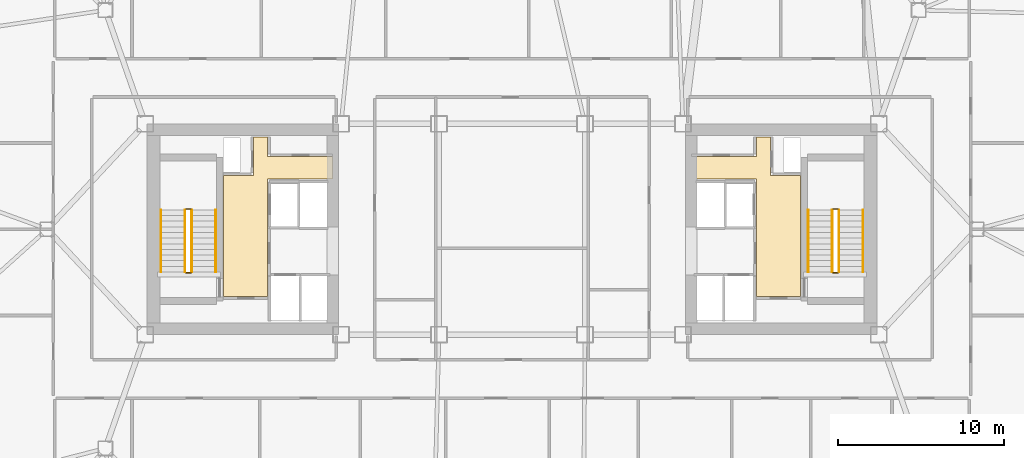
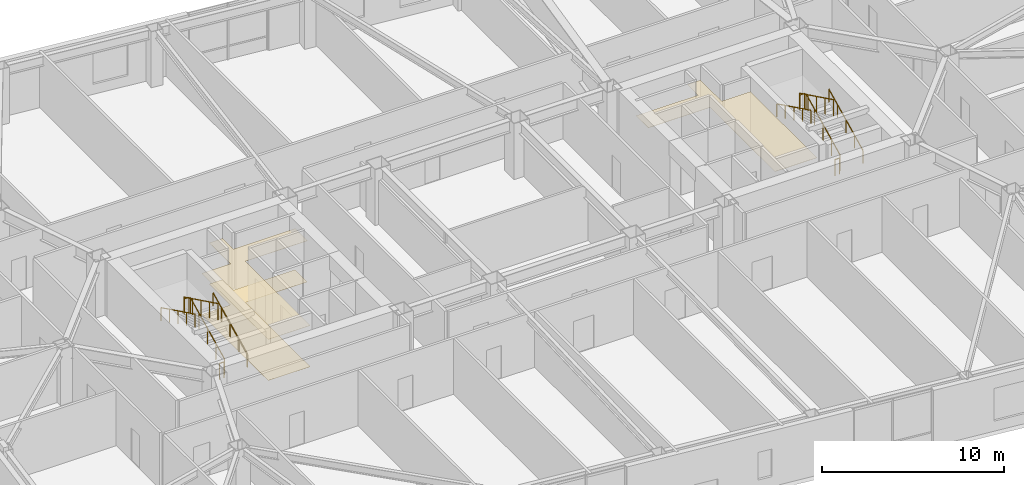
# One storey, part 22 of 22: 12 railings, 3 coverings.
"""IFC4 building model written with IfcOpenShell, lengths in metres."""

import ifcopenshell
import ifcopenshell.guid

model = None  # the IFC model being written
_history = None  # IfcOwnerHistory: only IFC2X3 demands one
_inside = {}  # id of a spatial element -> (the spatial element, [elements in it])
_under = {}  # id of a project, library or spatial element -> (it, [spatial elements below it])
_declared = {}  # id of a project -> (the project, [libraries it declares])
_typed = {}  # id of a type object -> (the type object, [elements of that type])
_made_of = {}  # id of a material, layer set ... -> (it, [elements and type objects made of it])


def new_model(schema):
    """Start an empty IFC model of exactly this schema.

    Asked for "IFC4X3", IfcOpenShell would pick the latest addendum, in which some entities
    have other attributes; the version numbers below select the first issue.
    IFC2X3 requires an IfcOwnerHistory on every rooted entity: one is made here for all.
    """
    global model, _history
    if schema == "IFC4X3":
        model = ifcopenshell.file(schema_version=(4, 3, 0, 0))
    else:
        model = ifcopenshell.file(schema=schema)
    _inside.clear()
    _under.clear()
    _declared.clear()
    _typed.clear()
    _made_of.clear()
    _history = None
    if model.schema == "IFC2X3":
        org = make("IfcOrganization", Name="unknown")
        user = make(
            "IfcPersonAndOrganization",
            ThePerson=make("IfcPerson", FamilyName="unknown"),
            TheOrganization=org,
        )
        app = make(
            "IfcApplication",
            ApplicationDeveloper=org,
            Version="unknown",
            ApplicationFullName="unknown",
            ApplicationIdentifier="unknown",
        )
        _history = make(
            "IfcOwnerHistory",
            OwningUser=user,
            OwningApplication=app,
            ChangeAction="ADDED",
            CreationDate=0,
        )
    return model


def make(cls, **values):
    """One entity of the class cls with the attributes given. An attribute that is None is left unset."""
    return model.create_entity(
        cls, **{name: value for name, value in values.items() if value is not None}
    )


def rooted(cls, **values):
    """An entity with a GlobalId (a new one), such as an element, a storey or a relation."""
    return make(cls, GlobalId=ifcopenshell.guid.new(), OwnerHistory=_history, **values)


def si_unit(unit_type, name, prefix=None):
    """IfcSIUnit, for example si_unit("LENGTHUNIT", "METRE", prefix="MILLI")."""
    return make("IfcSIUnit", UnitType=unit_type, Prefix=prefix, Name=name)


def assignment(units):
    """IfcUnitAssignment: the units of a project."""
    return None if units is None else make("IfcUnitAssignment", Units=units)


def point(xyz):
    """IfcCartesianPoint."""
    return None if xyz is None else make("IfcCartesianPoint", Coordinates=xyz)


def direction(xyz):
    """IfcDirection."""
    return None if xyz is None else make("IfcDirection", DirectionRatios=xyz)


def frame(location, z_axis=None, x_axis=None):
    """IfcAxis2Placement3D, a coordinate frame: its origin and axes. An axis left out is left unset."""
    return make(
        "IfcAxis2Placement3D",
        Location=point(location),
        Axis=direction(z_axis),
        RefDirection=direction(x_axis),
    )


def frame_2d(location, x_axis=None):
    """IfcAxis2Placement2D, a coordinate frame in the plane: its origin and x axis."""
    return make(
        "IfcAxis2Placement2D", Location=point(location), RefDirection=direction(x_axis)
    )


def origin():
    """The frame at (0, 0, 0) with its axes left unset."""
    return frame((0.0, 0.0, 0.0))


def origin_2d():
    """The frame at (0, 0) in the plane with its x axis left unset."""
    return frame_2d((0.0, 0.0))


def place(relative_to, where):
    """IfcLocalPlacement: puts the frame where relative to a parent placement (None: the world)."""
    return make(
        "IfcLocalPlacement", PlacementRelTo=relative_to, RelativePlacement=where
    )


def context(
    kind, dimensions, precision=None, world=None, true_north=None, identifier=None
):
    """IfcGeometricRepresentationContext, for example the 3D "Model" context."""
    return make(
        "IfcGeometricRepresentationContext",
        ContextIdentifier=identifier,
        ContextType=kind,
        CoordinateSpaceDimension=dimensions,
        Precision=precision,
        WorldCoordinateSystem=world,
        TrueNorth=true_north,
    )


def subcontext(parent, identifier, kind, view, scale=None):
    """IfcGeometricRepresentationSubContext, for example "Body" below "Model"."""
    return make(
        "IfcGeometricRepresentationSubContext",
        ContextIdentifier=identifier,
        ContextType=kind,
        ParentContext=parent,
        TargetScale=scale,
        TargetView=view,
    )


def project(units=None, contexts=None):
    """IfcProject with its units and contexts."""
    return rooted(
        "IfcProject",
        Name="project",
        RepresentationContexts=contexts,
        UnitsInContext=assignment(units),
    )


def spatial(cls, under=None, at=None, **own):
    """A site, building, storey or space (cls), placed at a placement, below another one or the project."""
    s = rooted(cls, ObjectPlacement=at, **own)
    if under is not None:
        _under.setdefault(under.id(), (under, []))[1].append(s)
    return s


def polyline(points):
    """IfcPolyline through the points."""
    return make("IfcPolyline", Points=[point(p) for p in points])


def profile(cls, at=None, kind="AREA", **sizes):
    """A parametric profile (cls). Its sizes go by their IFC names, for example OverallWidth=200.0."""
    return make(cls, ProfileType=kind, Position=at, **sizes)


def rectangle(**sizes):
    """IfcRectangleProfileDef."""
    return profile("IfcRectangleProfileDef", **sizes)


def outline(outer, holes=None, kind="AREA"):
    """IfcArbitraryClosedProfileDef: a profile drawn as a closed curve; with holes, ...WithVoids."""
    if holes is None:
        return make("IfcArbitraryClosedProfileDef", ProfileType=kind, OuterCurve=outer)
    return make(
        "IfcArbitraryProfileDefWithVoids",
        ProfileType=kind,
        OuterCurve=outer,
        InnerCurves=holes,
    )


def extrude(swept, where, along, depth):
    """IfcExtrudedAreaSolid: the profile swept, set in the frame where, extruded along a direction by depth."""
    return make(
        "IfcExtrudedAreaSolid",
        SweptArea=swept,
        Position=where,
        ExtrudedDirection=direction(along),
        Depth=depth,
    )


def shape(context_of_items, identifier, shape_type, items):
    """IfcShapeRepresentation: the items that make up one representation, for example the "Body"."""
    return make(
        "IfcShapeRepresentation",
        ContextOfItems=context_of_items,
        RepresentationIdentifier=identifier,
        RepresentationType=shape_type,
        Items=items,
    )


def material(Name=None, Category=None):
    """IfcMaterial."""
    return make("IfcMaterial", Name=Name, Category=Category)


def layer(
    of_material, thickness, ventilated=None, Name=None, Category=None, Priority=None
):
    """IfcMaterialLayer: one layer of a wall or slab, of a material (None: an air gap)."""
    return make(
        "IfcMaterialLayer",
        Material=of_material,
        LayerThickness=thickness,
        IsVentilated=ventilated,
        Name=Name,
        Category=Category,
        Priority=Priority,
    )


def layer_set(layers, Name=None):
    """IfcMaterialLayerSet."""
    return make("IfcMaterialLayerSet", MaterialLayers=layers, LayerSetName=Name)


def made_of(thing, what):
    """Note that an element or type object is made of a material, layer set ...; save() writes the relation."""
    if what is not None:
        _made_of.setdefault(what.id(), (what, []))[1].append(thing)
    return thing


def type_object(cls, material=None, **own):
    """A type object (cls), such as IfcWallType, which elements share."""
    return made_of(rooted(cls, **own), material)


def element(
    cls,
    number,
    at=None,
    inside=None,
    cuts=None,
    type_object=None,
    material=None,
    context=None,
    identifier="Body",
    shape_type=None,
    held_by="IfcProductDefinitionShape",
    body=None,
    shapes=None,
    **own,
):
    """One element of the class cls, such as IfcWall. Its Tag is "e" and its number.

    at: its placement. inside: the storey or other place that contains it. cuts: it is an
    opening in that element (IfcRelVoidsElement). A single representation is given by context,
    identifier, shape_type and body (its items); several are given by shapes. held_by: the class
    of the entity that holds the representations. save() writes the other relations.
    """
    e = rooted(cls, Tag="e%d" % number, ObjectPlacement=at, **own)
    if body is not None:
        shapes = [shape(context, identifier, shape_type, body)]
    if shapes is not None:
        e.Representation = make(held_by, Representations=shapes)
    if inside is not None:
        _inside.setdefault(inside.id(), (inside, []))[1].append(e)
    if cuts is not None:
        rooted(
            "IfcRelVoidsElement", RelatingBuildingElement=cuts, RelatedOpeningElement=e
        )
    if type_object is not None:
        _typed.setdefault(type_object.id(), (type_object, []))[1].append(e)
    return made_of(e, material)


def aggregate(whole, parts):
    """IfcRelAggregates: a whole, such as a stair, and the parts it consists of."""
    return rooted("IfcRelAggregates", RelatingObject=whole, RelatedObjects=parts)


def save(model, path):
    """Write the relations noted so far, then the file.

    IfcRelAggregates (storeys below a building ...), IfcRelContainedInSpatialStructure (elements
    in a storey), IfcRelDefinesByType, IfcRelAssociatesMaterial and IfcRelDeclares: one each for
    every whole, place, type object, material and project.
    """
    for whole, parts in _under.values():
        aggregate(whole, parts)
    for where, things in _inside.values():
        rooted(
            "IfcRelContainedInSpatialStructure",
            RelatedElements=things,
            RelatingStructure=where,
        )
    for kind, things in _typed.values():
        rooted("IfcRelDefinesByType", RelatedObjects=things, RelatingType=kind)
    for what, things in _made_of.values():
        rooted("IfcRelAssociatesMaterial", RelatedObjects=things, RelatingMaterial=what)
    for by, libraries in _declared.values():
        rooted("IfcRelDeclares", RelatingContext=by, RelatedDefinitions=libraries)
    model.write(path)


model = new_model("IFC4")

# Units and contexts
model_context = context("Model", 3, precision=1e-05, world=origin(), true_north=direction((0.0, 1.0)))
body_context = subcontext(model_context, "Body", "Model", "MODEL_VIEW")
ifc_project = project(units=[si_unit("LENGTHUNIT", "METRE"), si_unit("AREAUNIT", "SQUARE_METRE"), si_unit("VOLUMEUNIT", "CUBIC_METRE"), si_unit("PLANEANGLEUNIT", "RADIAN"), si_unit("MASSUNIT", "GRAM", prefix="KILO")], contexts=[model_context])

# Site, building, storey
site_placement = place(None, origin())
site = spatial("IfcSite", under=ifc_project, at=site_placement, CompositionType="ELEMENT")
building_placement = place(site_placement, origin())
building = spatial("IfcBuilding", under=site, at=building_placement, Name="Tavrogorsk Clinical Tower", CompositionType="ELEMENT")
storey_placement = place(building_placement, frame((0.0, 0.0, 117.39990234375)))
storey = spatial("IfcBuildingStorey", under=building, at=storey_placement, Name="L26", CompositionType="ELEMENT", Elevation=117.39990234375)

# Coverings
ifc_material_1 = material(Name="Antibacterial micro-perforated aluminium ceiling", Category="aluminium")
ifc_layer_1 = layer(ifc_material_1, 0.014892578125)
ifc_layer_set_1 = layer_set([ifc_layer_1], Name="Antibacterial micro-perforated aluminium ceiling")
covering_type_1 = type_object("IfcCoveringType", Name="ClinicalCeiling_15", PredefinedType="CEILING", material=ifc_layer_set_1)
covering_1_placement = place(storey_placement, frame((0.0, 0.0, 2.75)))
element("IfcCovering", 1, at=covering_1_placement, inside=storey, type_object=covering_type_1, Name="Core West Firefighting Lift Lobby Acoustic Ceiling", PredefinedType="CEILING", context=body_context, shape_type="SweptSolid", body=[
    extrude(outline(polyline([(-14.719970703125, 4.3798828125), (-10.800048828125, 4.3798828125), (-10.800048828125, 3.0400390625), (-14.719970703125, 3.0400390625), (-14.719970703125, -4.06005859375), (-17.3798828125, -4.06005859375), (-17.3798828125, 3.239990234375), (-15.56005859375, 3.239990234375), (-15.56005859375, 5.56005859375), (-14.719970703125, 5.56005859375), (-14.719970703125, 4.3798828125)])), origin(), (0.0, 0.0, 1.0), 0.01513671875),
])
covering_2_placement = place(storey_placement, frame((0.0, 0.0, 2.75)))
element("IfcCovering", 2, at=covering_2_placement, inside=storey, type_object=covering_type_1, Name="Core East Firefighting Lift Lobby Acoustic Ceiling", PredefinedType="CEILING", context=body_context, shape_type="SweptSolid", body=[
    extrude(outline(polyline([(14.719970703125, -4.06005859375), (14.719970703125, 3.0400390625), (10.800048828125, 3.0400390625), (10.800048828125, 4.3798828125), (14.719970703125, 4.3798828125), (14.719970703125, 5.56005859375), (15.56005859375, 5.56005859375), (15.56005859375, 3.239990234375), (17.3798828125, 3.239990234375), (17.3798828125, -4.06005859375), (14.719970703125, -4.06005859375)])), origin(), (0.0, 0.0, 1.0), 0.01513671875),
])
ifc_material_2 = material(Name="Homogeneous medical conductive PVC flooring")
ifc_layer_2 = layer(ifc_material_2, 0.008056640625)
ifc_layer_set_2 = layer_set([ifc_layer_2], Name="Homogeneous medical conductive PVC flooring")
covering_type_2 = type_object("IfcCoveringType", Name="ResilientVinylFloor_8", PredefinedType="FLOORING", material=ifc_layer_set_2)
covering_3_placement = place(storey_placement, origin())
element("IfcCovering", 3, at=covering_3_placement, inside=storey, type_object=covering_type_2, Name="Core West Firefighting Lift Lobby Conductive Vinyl Flooring", PredefinedType="FLOORING", context=body_context, shape_type="SweptSolid", body=[
    extrude(outline(polyline([(-14.719970703125, 4.3798828125), (-10.800048828125, 4.3798828125), (-10.800048828125, 3.0400390625), (-14.719970703125, 3.0400390625), (-14.719970703125, -4.06005859375), (-17.3798828125, -4.06005859375), (-17.3798828125, 3.239990234375), (-15.56005859375, 3.239990234375), (-15.56005859375, 5.56005859375), (-14.719970703125, 5.56005859375), (-14.719970703125, 4.3798828125)])), origin(), (0.0, 0.0, 1.0), 0.008056640625),
])

# Railings
ifc_material_3 = material(Name="Galvanised steel S355 safety stairwell guard", Category="steel")
ifc_layer_3 = layer(ifc_material_3, 0.06005859375)
ifc_layer_set_3 = layer_set([ifc_layer_3], Name="Galvanised steel S355 safety stairwell guard")
railing_type_1 = type_object("IfcRailingType", Name="StairGuard_1150", PredefinedType="GUARDRAIL", material=ifc_layer_set_3)
railing_1_placement = place(storey_placement, frame((-19.300048828125, -2.574951171875, 0.166748046875)))
element("IfcRailing", 4, at=railing_1_placement, inside=storey, type_object=railing_type_1, Name="L26 ST-W stair guard 1", PredefinedType="GUARDRAIL", context=body_context, shape_type="SweptSolid", body=[
    extrude(rectangle(XDim=0.048095703125, YDim=0.048095703125, at=origin_2d()), frame((0.0, 0.0, 1.076171875), z_axis=(0.0, 0.897927990467, 0.440142390523), x_axis=(-1.0, 0.0, 0.0)), (0.0, 0.0, 1.0), 4.1650390625),
    extrude(rectangle(XDim=0.0419921875, YDim=0.0419921875, at=origin_2d()), origin(), (0.0, 0.0, 1.0), 1.052001953125),
    extrude(rectangle(XDim=0.0419921875, YDim=0.0419921875, at=origin_2d()), frame((0.0, 0.93505859375, 0.458251953125)), (0.0, 0.0, 1.0), 1.052001953125),
    extrude(rectangle(XDim=0.0419921875, YDim=0.0419921875, at=origin_2d()), frame((0.0, 1.8701171875, 0.91650390625)), (0.0, 0.0, 1.0), 1.052001953125),
    extrude(rectangle(XDim=0.0419921875, YDim=0.0419921875, at=origin_2d()), frame((0.0, 2.804931640625, 1.375)), (0.0, 0.0, 1.0), 1.052001953125),
    extrude(rectangle(XDim=0.0419921875, YDim=0.0419921875, at=origin_2d()), frame((0.0, 3.739990234375, 1.833251953125)), (0.0, 0.0, 1.0), 1.052001953125),
])
railing_2_placement = place(storey_placement, frame((-19.35009765625, 1.215087890625, 2.0)))
element("IfcRailing", 5, at=railing_2_placement, inside=storey, type_object=railing_type_1, Name="L26 ST-W stair guard 2", PredefinedType="GUARDRAIL", context=body_context, shape_type="SweptSolid", body=[
    extrude(rectangle(XDim=0.048095703125, YDim=0.048095703125, at=origin_2d()), frame((0.0, 0.0, 1.076171875), z_axis=(-1.0, 0.0, 0.0), x_axis=(0.0, -1.0, 0.0)), (0.0, 0.0, 1.0), 0.2998046875),
    extrude(rectangle(XDim=0.0419921875, YDim=0.0419921875, at=origin_2d()), origin(), (0.0, 0.0, 1.0), 1.052001953125),
    extrude(rectangle(XDim=0.0419921875, YDim=0.0419921875, at=origin_2d()), frame((-0.2998046875, 0.0, 0.0)), (0.0, 0.0, 1.0), 1.052001953125),
])
railing_3_placement = place(storey_placement, frame((-19.699951171875, 1.1650390625, 2.166748046875)))
element("IfcRailing", 6, at=railing_3_placement, inside=storey, type_object=railing_type_1, Name="L26 ST-W stair guard 3", PredefinedType="GUARDRAIL", context=body_context, shape_type="SweptSolid", body=[
    extrude(rectangle(XDim=0.048095703125, YDim=0.048095703125, at=origin_2d()), frame((0.0, 0.0, 1.076171875), z_axis=(0.0, -0.897927990467, 0.440142390523), x_axis=(1.0, 0.0, 0.0)), (0.0, 0.0, 1.0), 4.1650390625),
    extrude(rectangle(XDim=0.0419921875, YDim=0.0419921875, at=origin_2d()), origin(), (0.0, 0.0, 1.0), 1.052001953125),
    extrude(rectangle(XDim=0.0419921875, YDim=0.0419921875, at=origin_2d()), frame((0.0, -0.93505859375, 0.458251953125)), (0.0, 0.0, 1.0), 1.052001953125),
    extrude(rectangle(XDim=0.0419921875, YDim=0.0419921875, at=origin_2d()), frame((0.0, -1.8701171875, 0.91650390625)), (0.0, 0.0, 1.0), 1.052001953125),
    extrude(rectangle(XDim=0.0419921875, YDim=0.0419921875, at=origin_2d()), frame((0.0, -2.804931640625, 1.375)), (0.0, 0.0, 1.0), 1.052001953125),
    extrude(rectangle(XDim=0.0419921875, YDim=0.0419921875, at=origin_2d()), frame((0.0, -3.739990234375, 1.833251953125)), (0.0, 0.0, 1.0), 1.052001953125),
])
railing_4_placement = place(storey_placement, frame((-19.35009765625, -2.625, 0.0)))
element("IfcRailing", 7, at=railing_4_placement, inside=storey, type_object=railing_type_1, Name="L26 ST-W stair guard 4", PredefinedType="GUARDRAIL", context=body_context, shape_type="SweptSolid", body=[
    extrude(rectangle(XDim=0.048095703125, YDim=0.048095703125, at=origin_2d()), frame((0.0, 0.0, 1.076171875), z_axis=(-1.0, 0.0, 0.0), x_axis=(0.0, -1.0, 0.0)), (0.0, 0.0, 1.0), 0.2998046875),
    extrude(rectangle(XDim=0.0419921875, YDim=0.0419921875, at=origin_2d()), origin(), (0.0, 0.0, 1.0), 1.052001953125),
    extrude(rectangle(XDim=0.0419921875, YDim=0.0419921875, at=origin_2d()), frame((-0.2998046875, 0.0, 0.0)), (0.0, 0.0, 1.0), 1.052001953125),
])
railing_5_placement = place(storey_placement, frame((19.699951171875, -2.574951171875, 0.166748046875)))
element("IfcRailing", 8, at=railing_5_placement, inside=storey, type_object=railing_type_1, Name="L26 ST-E stair guard 1", PredefinedType="GUARDRAIL", context=body_context, shape_type="SweptSolid", body=[
    extrude(rectangle(XDim=0.048095703125, YDim=0.048095703125, at=origin_2d()), frame((0.0, 0.0, 1.076171875), z_axis=(0.0, 0.897927990467, 0.440142390523), x_axis=(-1.0, 0.0, 0.0)), (0.0, 0.0, 1.0), 4.1650390625),
    extrude(rectangle(XDim=0.0419921875, YDim=0.0419921875, at=origin_2d()), origin(), (0.0, 0.0, 1.0), 1.052001953125),
    extrude(rectangle(XDim=0.0419921875, YDim=0.0419921875, at=origin_2d()), frame((0.0, 0.93505859375, 0.458251953125)), (0.0, 0.0, 1.0), 1.052001953125),
    extrude(rectangle(XDim=0.0419921875, YDim=0.0419921875, at=origin_2d()), frame((0.0, 1.8701171875, 0.91650390625)), (0.0, 0.0, 1.0), 1.052001953125),
    extrude(rectangle(XDim=0.0419921875, YDim=0.0419921875, at=origin_2d()), frame((0.0, 2.804931640625, 1.375)), (0.0, 0.0, 1.0), 1.052001953125),
    extrude(rectangle(XDim=0.0419921875, YDim=0.0419921875, at=origin_2d()), frame((0.0, 3.739990234375, 1.833251953125)), (0.0, 0.0, 1.0), 1.052001953125),
])
railing_6_placement = place(storey_placement, frame((19.64990234375, 1.215087890625, 2.0)))
element("IfcRailing", 9, at=railing_6_placement, inside=storey, type_object=railing_type_1, Name="L26 ST-E stair guard 2", PredefinedType="GUARDRAIL", context=body_context, shape_type="SweptSolid", body=[
    extrude(rectangle(XDim=0.048095703125, YDim=0.048095703125, at=origin_2d()), frame((0.0, 0.0, 1.076171875), z_axis=(-1.0, 0.0, 0.0), x_axis=(0.0, -1.0, 0.0)), (0.0, 0.0, 1.0), 0.2998046875),
    extrude(rectangle(XDim=0.0419921875, YDim=0.0419921875, at=origin_2d()), origin(), (0.0, 0.0, 1.0), 1.052001953125),
    extrude(rectangle(XDim=0.0419921875, YDim=0.0419921875, at=origin_2d()), frame((-0.2998046875, 0.0, 0.0)), (0.0, 0.0, 1.0), 1.052001953125),
])
railing_7_placement = place(storey_placement, frame((19.300048828125, 1.1650390625, 2.166748046875)))
element("IfcRailing", 10, at=railing_7_placement, inside=storey, type_object=railing_type_1, Name="L26 ST-E stair guard 3", PredefinedType="GUARDRAIL", context=body_context, shape_type="SweptSolid", body=[
    extrude(rectangle(XDim=0.048095703125, YDim=0.048095703125, at=origin_2d()), frame((0.0, 0.0, 1.076171875), z_axis=(0.0, -0.897927990467, 0.440142390523), x_axis=(1.0, 0.0, 0.0)), (0.0, 0.0, 1.0), 4.1650390625),
    extrude(rectangle(XDim=0.0419921875, YDim=0.0419921875, at=origin_2d()), origin(), (0.0, 0.0, 1.0), 1.052001953125),
    extrude(rectangle(XDim=0.0419921875, YDim=0.0419921875, at=origin_2d()), frame((0.0, -0.93505859375, 0.458251953125)), (0.0, 0.0, 1.0), 1.052001953125),
    extrude(rectangle(XDim=0.0419921875, YDim=0.0419921875, at=origin_2d()), frame((0.0, -1.8701171875, 0.91650390625)), (0.0, 0.0, 1.0), 1.052001953125),
    extrude(rectangle(XDim=0.0419921875, YDim=0.0419921875, at=origin_2d()), frame((0.0, -2.804931640625, 1.375)), (0.0, 0.0, 1.0), 1.052001953125),
    extrude(rectangle(XDim=0.0419921875, YDim=0.0419921875, at=origin_2d()), frame((0.0, -3.739990234375, 1.833251953125)), (0.0, 0.0, 1.0), 1.052001953125),
])
railing_8_placement = place(storey_placement, frame((19.64990234375, -2.625, 0.0)))
element("IfcRailing", 11, at=railing_8_placement, inside=storey, type_object=railing_type_1, Name="L26 ST-E stair guard 4", PredefinedType="GUARDRAIL", context=body_context, shape_type="SweptSolid", body=[
    extrude(rectangle(XDim=0.048095703125, YDim=0.048095703125, at=origin_2d()), frame((0.0, 0.0, 1.076171875), z_axis=(-1.0, 0.0, 0.0), x_axis=(0.0, -1.0, 0.0)), (0.0, 0.0, 1.0), 0.2998046875),
    extrude(rectangle(XDim=0.0419921875, YDim=0.0419921875, at=origin_2d()), origin(), (0.0, 0.0, 1.0), 1.052001953125),
    extrude(rectangle(XDim=0.0419921875, YDim=0.0419921875, at=origin_2d()), frame((-0.2998046875, 0.0, 0.0)), (0.0, 0.0, 1.0), 1.052001953125),
])
ifc_material_4 = material(Name="Stainless steel AISI 304 tubular handrail", Category="steel")
ifc_layer_4 = layer(ifc_material_4, 0.050048828125)
ifc_layer_set_4 = layer_set([ifc_layer_4], Name="Stainless steel AISI 304 tubular handrail")
railing_type_2 = type_object("IfcRailingType", Name="StairHandrail_920", PredefinedType="HANDRAIL", material=ifc_layer_set_4)
railing_9_placement = place(storey_placement, frame((-17.85009765625, -2.574951171875, 0.166748046875)))
element("IfcRailing", 12, at=railing_9_placement, inside=storey, type_object=railing_type_2, Name="L26 ST-W stair handrail 1", PredefinedType="HANDRAIL", context=body_context, shape_type="SweptSolid", body=[
    extrude(rectangle(XDim=0.048095703125, YDim=0.048095703125, at=origin_2d()), frame((0.0, 0.0, 0.8759765625), z_axis=(0.0, 0.897927990467, 0.440142390523), x_axis=(-1.0, 0.0, 0.0)), (0.0, 0.0, 1.0), 4.1650390625),
    extrude(rectangle(XDim=0.0419921875, YDim=0.0419921875, at=origin_2d()), origin(), (0.0, 0.0, 1.0), 0.851806640625),
    extrude(rectangle(XDim=0.0419921875, YDim=0.0419921875, at=origin_2d()), frame((0.0, 0.93505859375, 0.458251953125)), (0.0, 0.0, 1.0), 0.851806640625),
    extrude(rectangle(XDim=0.0419921875, YDim=0.0419921875, at=origin_2d()), frame((0.0, 1.8701171875, 0.91650390625)), (0.0, 0.0, 1.0), 0.851806640625),
    extrude(rectangle(XDim=0.0419921875, YDim=0.0419921875, at=origin_2d()), frame((0.0, 2.804931640625, 1.375)), (0.0, 0.0, 1.0), 0.851806640625),
    extrude(rectangle(XDim=0.0419921875, YDim=0.0419921875, at=origin_2d()), frame((0.0, 3.739990234375, 1.833251953125)), (0.0, 0.0, 1.0), 0.851806640625),
])
railing_10_placement = place(storey_placement, frame((-21.14990234375, 1.1650390625, 2.166748046875)))
element("IfcRailing", 13, at=railing_10_placement, inside=storey, type_object=railing_type_2, Name="L26 ST-W stair handrail 2", PredefinedType="HANDRAIL", context=body_context, shape_type="SweptSolid", body=[
    extrude(rectangle(XDim=0.048095703125, YDim=0.048095703125, at=origin_2d()), frame((0.0, 0.0, 0.8759765625), z_axis=(0.0, -0.897927990467, 0.440142390523), x_axis=(1.0, 0.0, 0.0)), (0.0, 0.0, 1.0), 4.1650390625),
    extrude(rectangle(XDim=0.0419921875, YDim=0.0419921875, at=origin_2d()), origin(), (0.0, 0.0, 1.0), 0.851806640625),
    extrude(rectangle(XDim=0.0419921875, YDim=0.0419921875, at=origin_2d()), frame((0.0, -0.93505859375, 0.458251953125)), (0.0, 0.0, 1.0), 0.851806640625),
    extrude(rectangle(XDim=0.0419921875, YDim=0.0419921875, at=origin_2d()), frame((0.0, -1.8701171875, 0.91650390625)), (0.0, 0.0, 1.0), 0.851806640625),
    extrude(rectangle(XDim=0.0419921875, YDim=0.0419921875, at=origin_2d()), frame((0.0, -2.804931640625, 1.375)), (0.0, 0.0, 1.0), 0.851806640625),
    extrude(rectangle(XDim=0.0419921875, YDim=0.0419921875, at=origin_2d()), frame((0.0, -3.739990234375, 1.833251953125)), (0.0, 0.0, 1.0), 0.851806640625),
])
railing_11_placement = place(storey_placement, frame((21.14990234375, -2.574951171875, 0.166748046875)))
element("IfcRailing", 14, at=railing_11_placement, inside=storey, type_object=railing_type_2, Name="L26 ST-E stair handrail 1", PredefinedType="HANDRAIL", context=body_context, shape_type="SweptSolid", body=[
    extrude(rectangle(XDim=0.048095703125, YDim=0.048095703125, at=origin_2d()), frame((0.0, 0.0, 0.8759765625), z_axis=(0.0, 0.897927990467, 0.440142390523), x_axis=(-1.0, 0.0, 0.0)), (0.0, 0.0, 1.0), 4.1650390625),
    extrude(rectangle(XDim=0.0419921875, YDim=0.0419921875, at=origin_2d()), origin(), (0.0, 0.0, 1.0), 0.851806640625),
    extrude(rectangle(XDim=0.0419921875, YDim=0.0419921875, at=origin_2d()), frame((0.0, 0.93505859375, 0.458251953125)), (0.0, 0.0, 1.0), 0.851806640625),
    extrude(rectangle(XDim=0.0419921875, YDim=0.0419921875, at=origin_2d()), frame((0.0, 1.8701171875, 0.91650390625)), (0.0, 0.0, 1.0), 0.851806640625),
    extrude(rectangle(XDim=0.0419921875, YDim=0.0419921875, at=origin_2d()), frame((0.0, 2.804931640625, 1.375)), (0.0, 0.0, 1.0), 0.851806640625),
    extrude(rectangle(XDim=0.0419921875, YDim=0.0419921875, at=origin_2d()), frame((0.0, 3.739990234375, 1.833251953125)), (0.0, 0.0, 1.0), 0.851806640625),
])
railing_12_placement = place(storey_placement, frame((17.85009765625, 1.1650390625, 2.166748046875)))
element("IfcRailing", 15, at=railing_12_placement, inside=storey, type_object=railing_type_2, Name="L26 ST-E stair handrail 2", PredefinedType="HANDRAIL", context=body_context, shape_type="SweptSolid", body=[
    extrude(rectangle(XDim=0.048095703125, YDim=0.048095703125, at=origin_2d()), frame((0.0, 0.0, 0.8759765625), z_axis=(0.0, -0.897927990467, 0.440142390523), x_axis=(1.0, 0.0, 0.0)), (0.0, 0.0, 1.0), 4.1650390625),
    extrude(rectangle(XDim=0.0419921875, YDim=0.0419921875, at=origin_2d()), origin(), (0.0, 0.0, 1.0), 0.851806640625),
    extrude(rectangle(XDim=0.0419921875, YDim=0.0419921875, at=origin_2d()), frame((0.0, -0.93505859375, 0.458251953125)), (0.0, 0.0, 1.0), 0.851806640625),
    extrude(rectangle(XDim=0.0419921875, YDim=0.0419921875, at=origin_2d()), frame((0.0, -1.8701171875, 0.91650390625)), (0.0, 0.0, 1.0), 0.851806640625),
    extrude(rectangle(XDim=0.0419921875, YDim=0.0419921875, at=origin_2d()), frame((0.0, -2.804931640625, 1.375)), (0.0, 0.0, 1.0), 0.851806640625),
    extrude(rectangle(XDim=0.0419921875, YDim=0.0419921875, at=origin_2d()), frame((0.0, -3.739990234375, 1.833251953125)), (0.0, 0.0, 1.0), 0.851806640625),
])

save(model, "model.ifc")
